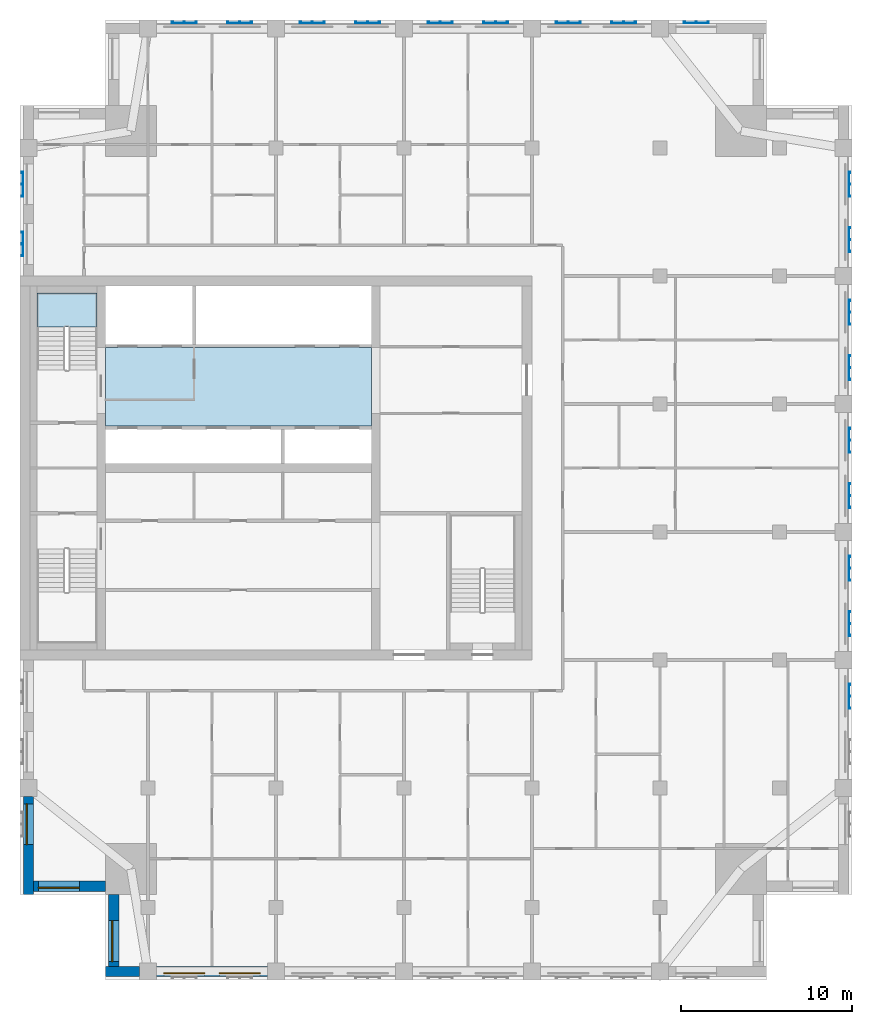
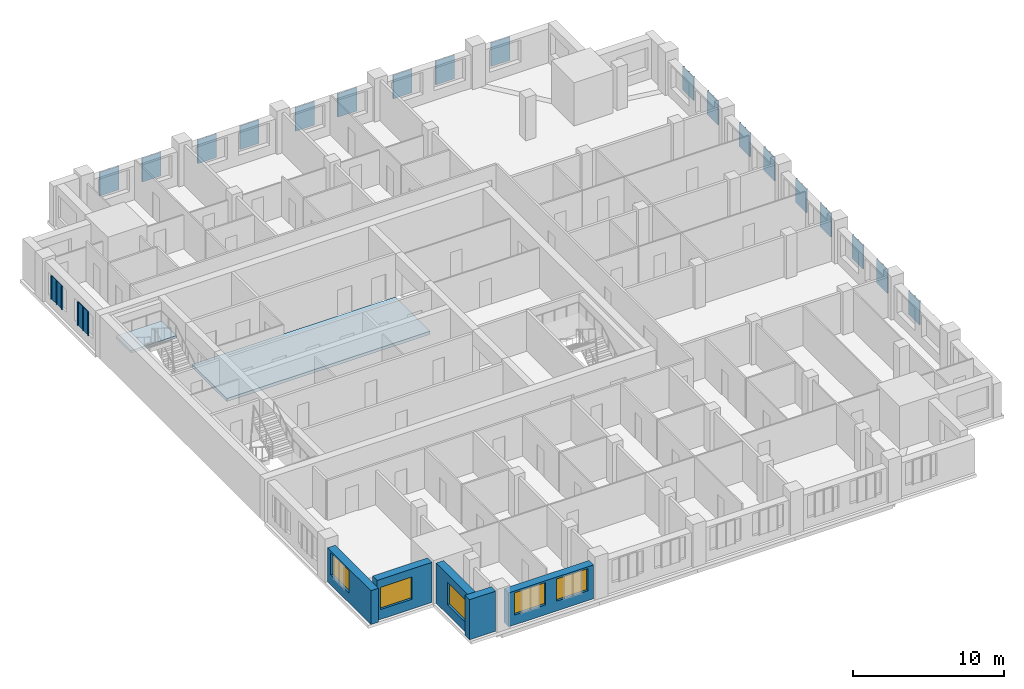
# One storey, part 2 of 11: 20 plates, 5 walls, 5 windows, 2 slabs, 5 openings, 1 element without a shape of its own.
"""IFC4 building model written with IfcOpenShell, lengths in metres."""

from ifc_helpers import new_model, si_unit, direction, frame, frame_2d, origin, place, context, subcontext, project, spatial, polyline, rectangle, outline, extrude, material, layer, layer_set, type_object, element, fill, aggregate, save


model = new_model("IFC4")

# Units and contexts
model_context = context("Model", 3, precision=1e-05, world=origin(), true_north=direction((0.0, 1.0)))
body_context = subcontext(model_context, "Body", "Model", "MODEL_VIEW")
ifc_project = project(units=[si_unit("LENGTHUNIT", "METRE"), si_unit("AREAUNIT", "SQUARE_METRE"), si_unit("VOLUMEUNIT", "CUBIC_METRE"), si_unit("PLANEANGLEUNIT", "RADIAN"), si_unit("MASSUNIT", "GRAM", prefix="KILO")], contexts=[model_context])

# Site, building, storey
site_placement = place(None, origin())
site = spatial("IfcSite", under=ifc_project, at=site_placement, CompositionType="ELEMENT")
building_placement = place(site_placement, origin())
building = spatial("IfcBuilding", under=site, at=building_placement, Name="Tamorin Gate", CompositionType="ELEMENT")
storey_placement = place(building_placement, frame((0.0, 0.0, 240.699951171875)))
storey = spatial("IfcBuildingStorey", under=building, at=storey_placement, Name="L60", CompositionType="ELEMENT", Elevation=240.699951171875)

# Slab
ifc_material_1 = material(Name="Concrete C40/50", Category="concrete")
ifc_layer_1 = layer(ifc_material_1, 0.25)
ifc_layer_set_1 = layer_set([ifc_layer_1], Name="Core floor slab 250 C40/50")
slab_type_1 = type_object("IfcSlabType", Name="Core floor slab 250 C40/50", PredefinedType="FLOOR", material=ifc_layer_set_1)
slab_1_placement = place(storey_placement, frame((0.0, 0.0, -0.25)))
element("IfcSlab", 1, at=slab_1_placement, inside=storey, type_object=slab_type_1, Name="Core floor L60", PredefinedType="FLOOR", context=body_context, shape_type="SweptSolid", body=[
    extrude(outline(polyline([(50.60009765625, 73.699951171875), (35.0, 73.699951171875), (35.0, 78.300048828125), (50.60009765625, 78.300048828125), (50.60009765625, 73.699951171875)])), origin(), (0.0, 0.0, 1.0), 0.25),
])

# Stair, slab
stair_type = type_object("IfcStairType", Name="Exit stair", PredefinedType="HALF_TURN_STAIR", material=ifc_material_1)
stair_placement = place(storey_placement, origin())
stair = element("IfcStair", 2, at=stair_placement, inside=storey, type_object=stair_type, Name="L60 stair ST2", PredefinedType="HALF_TURN_STAIR")
ifc_layer_2 = layer(ifc_material_1, 0.199951171875)
ifc_layer_set_2 = layer_set([ifc_layer_2], Name="Exit stair landing 200")
slab_type_2 = type_object("IfcSlabType", Name="Exit stair landing 200", PredefinedType="LANDING", material=ifc_layer_set_2)
slab_2_placement = place(storey_placement, frame((0.0, 0.0, 1.550048828125)))
slab_2 = element("IfcSlab", 3, at=slab_2_placement, type_object=slab_type_2, Name="ST2 landing 1", PredefinedType="LANDING", context=body_context, shape_type="SweptSolid", body=[
    extrude(outline(polyline([(34.5, 79.52001953125), (34.5, 81.5), (31.0, 81.5), (31.0, 79.52001953125), (34.5, 79.52001953125)])), origin(), (0.0, 0.0, 1.0), 0.199951171875),
])
aggregate(stair, [slab_2])

# Plates
ifc_material_2 = material(Name="Perforated pale aluminium sheet", Category="aluminium")
ifc_layer_3 = layer(ifc_material_2, 0.0400390625)
ifc_layer_set_3 = layer_set([ifc_layer_3], Name="Pale metal solar screen 1440")
plate_type = type_object("IfcPlateType", Name="Pale metal solar screen 1440", PredefinedType="SHEET", material=ifc_layer_set_3)
plate_1_placement = place(storey_placement, frame((0.0, 0.0, 0.737548828125)))
element("IfcPlate", 4, at=plate_1_placement, inside=storey, type_object=plate_type, Name="Perforated solar screen", PredefinedType="SHEET", context=body_context, shape_type="SweptSolid", body=[
    extrude(outline(polyline([(78.590087890625, 57.155029296875), (78.550048828125, 57.155029296875), (78.550048828125, 57.215087890625), (78.550048828125, 57.844970703125), (78.550048828125, 57.905029296875), (78.550048828125, 58.534912109375), (78.550048828125, 58.594970703125), (78.590087890625, 58.594970703125), (78.64990234375, 58.594970703125), (78.64990234375, 58.534912109375), (78.590087890625, 58.534912109375), (78.590087890625, 57.905029296875), (78.64990234375, 57.905029296875), (78.64990234375, 57.844970703125), (78.590087890625, 57.844970703125), (78.590087890625, 57.215087890625), (78.64990234375, 57.215087890625), (78.64990234375, 57.155029296875), (78.590087890625, 57.155029296875)])), origin(), (0.0, 0.0, 1.0), 1.925048828125),
])
plate_2_placement = place(storey_placement, frame((0.0, 0.0, 0.737548828125)))
element("IfcPlate", 5, at=plate_2_placement, inside=storey, type_object=plate_type, Name="Perforated solar screen", PredefinedType="SHEET", context=body_context, shape_type="SweptSolid", body=[
    extrude(outline(polyline([(78.590087890625, 61.405029296875), (78.550048828125, 61.405029296875), (78.550048828125, 61.465087890625), (78.550048828125, 62.094970703125), (78.550048828125, 62.155029296875), (78.550048828125, 62.784912109375), (78.550048828125, 62.844970703125), (78.590087890625, 62.844970703125), (78.64990234375, 62.844970703125), (78.64990234375, 62.784912109375), (78.590087890625, 62.784912109375), (78.590087890625, 62.155029296875), (78.64990234375, 62.155029296875), (78.64990234375, 62.094970703125), (78.590087890625, 62.094970703125), (78.590087890625, 61.465087890625), (78.64990234375, 61.465087890625), (78.64990234375, 61.405029296875), (78.590087890625, 61.405029296875)])), origin(), (0.0, 0.0, 1.0), 1.925048828125),
])
plate_3_placement = place(storey_placement, frame((0.0, 0.0, 0.737548828125)))
element("IfcPlate", 6, at=plate_3_placement, inside=storey, type_object=plate_type, Name="Perforated solar screen", PredefinedType="SHEET", context=body_context, shape_type="SweptSolid", body=[
    extrude(outline(polyline([(78.590087890625, 64.655029296875), (78.550048828125, 64.655029296875), (78.550048828125, 64.715087890625), (78.550048828125, 65.344970703125), (78.550048828125, 65.405029296875), (78.550048828125, 66.034912109375), (78.550048828125, 66.094970703125), (78.590087890625, 66.094970703125), (78.64990234375, 66.094970703125), (78.64990234375, 66.034912109375), (78.590087890625, 66.034912109375), (78.590087890625, 65.405029296875), (78.64990234375, 65.405029296875), (78.64990234375, 65.344970703125), (78.590087890625, 65.344970703125), (78.590087890625, 64.715087890625), (78.64990234375, 64.715087890625), (78.64990234375, 64.655029296875), (78.590087890625, 64.655029296875)])), origin(), (0.0, 0.0, 1.0), 1.925048828125),
])
plate_4_placement = place(storey_placement, frame((0.0, 0.0, 0.737548828125)))
element("IfcPlate", 7, at=plate_4_placement, inside=storey, type_object=plate_type, Name="Perforated solar screen", PredefinedType="SHEET", context=body_context, shape_type="SweptSolid", body=[
    extrude(outline(polyline([(78.590087890625, 68.905029296875), (78.550048828125, 68.905029296875), (78.550048828125, 68.965087890625), (78.550048828125, 69.594970703125), (78.550048828125, 69.655029296875), (78.550048828125, 70.284912109375), (78.550048828125, 70.344970703125), (78.590087890625, 70.344970703125), (78.64990234375, 70.344970703125), (78.64990234375, 70.284912109375), (78.590087890625, 70.284912109375), (78.590087890625, 69.655029296875), (78.64990234375, 69.655029296875), (78.64990234375, 69.594970703125), (78.590087890625, 69.594970703125), (78.590087890625, 68.965087890625), (78.64990234375, 68.965087890625), (78.64990234375, 68.905029296875), (78.590087890625, 68.905029296875)])), origin(), (0.0, 0.0, 1.0), 1.925048828125),
])
plate_5_placement = place(storey_placement, frame((0.0, 0.0, 0.737548828125)))
element("IfcPlate", 8, at=plate_5_placement, inside=storey, type_object=plate_type, Name="Perforated solar screen", PredefinedType="SHEET", context=body_context, shape_type="SweptSolid", body=[
    extrude(outline(polyline([(78.590087890625, 72.155029296875), (78.550048828125, 72.155029296875), (78.550048828125, 72.215087890625), (78.550048828125, 72.844970703125), (78.550048828125, 72.905029296875), (78.550048828125, 73.534912109375), (78.550048828125, 73.594970703125), (78.590087890625, 73.594970703125), (78.64990234375, 73.594970703125), (78.64990234375, 73.534912109375), (78.590087890625, 73.534912109375), (78.590087890625, 72.905029296875), (78.64990234375, 72.905029296875), (78.64990234375, 72.844970703125), (78.590087890625, 72.844970703125), (78.590087890625, 72.215087890625), (78.64990234375, 72.215087890625), (78.64990234375, 72.155029296875), (78.590087890625, 72.155029296875)])), origin(), (0.0, 0.0, 1.0), 1.925048828125),
])
plate_6_placement = place(storey_placement, frame((0.0, 0.0, 0.737548828125)))
element("IfcPlate", 9, at=plate_6_placement, inside=storey, type_object=plate_type, Name="Perforated solar screen", PredefinedType="SHEET", context=body_context, shape_type="SweptSolid", body=[
    extrude(outline(polyline([(78.590087890625, 76.405029296875), (78.550048828125, 76.405029296875), (78.550048828125, 76.465087890625), (78.550048828125, 77.094970703125), (78.550048828125, 77.155029296875), (78.550048828125, 77.784912109375), (78.550048828125, 77.844970703125), (78.590087890625, 77.844970703125), (78.64990234375, 77.844970703125), (78.64990234375, 77.784912109375), (78.590087890625, 77.784912109375), (78.590087890625, 77.155029296875), (78.64990234375, 77.155029296875), (78.64990234375, 77.094970703125), (78.590087890625, 77.094970703125), (78.590087890625, 76.465087890625), (78.64990234375, 76.465087890625), (78.64990234375, 76.405029296875), (78.590087890625, 76.405029296875)])), origin(), (0.0, 0.0, 1.0), 1.925048828125),
])
plate_7_placement = place(storey_placement, frame((0.0, 0.0, 0.737548828125)))
element("IfcPlate", 10, at=plate_7_placement, inside=storey, type_object=plate_type, Name="Perforated solar screen", PredefinedType="SHEET", context=body_context, shape_type="SweptSolid", body=[
    extrude(outline(polyline([(78.590087890625, 79.655029296875), (78.550048828125, 79.655029296875), (78.550048828125, 79.715087890625), (78.550048828125, 80.344970703125), (78.550048828125, 80.405029296875), (78.550048828125, 81.034912109375), (78.550048828125, 81.094970703125), (78.590087890625, 81.094970703125), (78.64990234375, 81.094970703125), (78.64990234375, 81.034912109375), (78.590087890625, 81.034912109375), (78.590087890625, 80.405029296875), (78.64990234375, 80.405029296875), (78.64990234375, 80.344970703125), (78.590087890625, 80.344970703125), (78.590087890625, 79.715087890625), (78.64990234375, 79.715087890625), (78.64990234375, 79.655029296875), (78.590087890625, 79.655029296875)])), origin(), (0.0, 0.0, 1.0), 1.925048828125),
])
plate_8_placement = place(storey_placement, frame((0.0, 0.0, 0.737548828125)))
element("IfcPlate", 11, at=plate_8_placement, inside=storey, type_object=plate_type, Name="Perforated solar screen", PredefinedType="SHEET", context=body_context, shape_type="SweptSolid", body=[
    extrude(outline(polyline([(78.590087890625, 83.905029296875), (78.550048828125, 83.905029296875), (78.550048828125, 83.965087890625), (78.550048828125, 84.594970703125), (78.550048828125, 84.655029296875), (78.550048828125, 85.284912109375), (78.550048828125, 85.344970703125), (78.590087890625, 85.344970703125), (78.64990234375, 85.344970703125), (78.64990234375, 85.284912109375), (78.590087890625, 85.284912109375), (78.590087890625, 84.655029296875), (78.64990234375, 84.655029296875), (78.64990234375, 84.594970703125), (78.590087890625, 84.594970703125), (78.590087890625, 83.965087890625), (78.64990234375, 83.965087890625), (78.64990234375, 83.905029296875), (78.590087890625, 83.905029296875)])), origin(), (0.0, 0.0, 1.0), 1.925048828125),
])
plate_9_placement = place(storey_placement, frame((0.0, 0.0, 0.737548828125)))
element("IfcPlate", 12, at=plate_9_placement, inside=storey, type_object=plate_type, Name="Perforated solar screen", PredefinedType="SHEET", context=body_context, shape_type="SweptSolid", body=[
    extrude(outline(polyline([(78.590087890625, 87.155029296875), (78.550048828125, 87.155029296875), (78.550048828125, 87.215087890625), (78.550048828125, 87.844970703125), (78.550048828125, 87.905029296875), (78.550048828125, 88.534912109375), (78.550048828125, 88.594970703125), (78.590087890625, 88.594970703125), (78.64990234375, 88.594970703125), (78.64990234375, 88.534912109375), (78.590087890625, 88.534912109375), (78.590087890625, 87.905029296875), (78.64990234375, 87.905029296875), (78.64990234375, 87.844970703125), (78.590087890625, 87.844970703125), (78.590087890625, 87.215087890625), (78.64990234375, 87.215087890625), (78.64990234375, 87.155029296875), (78.590087890625, 87.155029296875)])), origin(), (0.0, 0.0, 1.0), 1.925048828125),
])
plate_10_placement = place(storey_placement, frame((0.0, 0.0, 0.737548828125)))
element("IfcPlate", 13, at=plate_10_placement, inside=storey, type_object=plate_type, Name="Perforated solar screen", PredefinedType="SHEET", context=body_context, shape_type="SweptSolid", body=[
    extrude(outline(polyline([(70.344970703125, 97.340087890625), (70.344970703125, 97.300048828125), (70.284912109375, 97.300048828125), (69.655029296875, 97.300048828125), (69.594970703125, 97.300048828125), (68.965087890625, 97.300048828125), (68.905029296875, 97.300048828125), (68.905029296875, 97.300048828125), (68.905029296875, 97.340087890625), (68.905029296875, 97.340087890625), (68.905029296875, 97.39990234375), (68.965087890625, 97.39990234375), (68.965087890625, 97.340087890625), (69.594970703125, 97.340087890625), (69.594970703125, 97.39990234375), (69.655029296875, 97.39990234375), (69.655029296875, 97.340087890625), (70.284912109375, 97.340087890625), (70.284912109375, 97.39990234375), (70.344970703125, 97.39990234375), (70.344970703125, 97.340087890625)])), origin(), (0.0, 0.0, 1.0), 1.925048828125),
])
plate_11_placement = place(storey_placement, frame((0.0, 0.0, 0.737548828125)))
element("IfcPlate", 14, at=plate_11_placement, inside=storey, type_object=plate_type, Name="Perforated solar screen", PredefinedType="SHEET", context=body_context, shape_type="SweptSolid", body=[
    extrude(outline(polyline([(62.844970703125, 97.340087890625), (62.844970703125, 97.300048828125), (62.784912109375, 97.300048828125), (62.155029296875, 97.300048828125), (62.094970703125, 97.300048828125), (61.465087890625, 97.300048828125), (61.405029296875, 97.300048828125), (61.405029296875, 97.340087890625), (61.405029296875, 97.39990234375), (61.465087890625, 97.39990234375), (61.465087890625, 97.340087890625), (62.094970703125, 97.340087890625), (62.094970703125, 97.39990234375), (62.155029296875, 97.39990234375), (62.155029296875, 97.340087890625), (62.784912109375, 97.340087890625), (62.784912109375, 97.39990234375), (62.844970703125, 97.39990234375), (62.844970703125, 97.340087890625)])), origin(), (0.0, 0.0, 1.0), 1.925048828125),
])
plate_12_placement = place(storey_placement, frame((0.0, 0.0, 0.737548828125)))
element("IfcPlate", 15, at=plate_12_placement, inside=storey, type_object=plate_type, Name="Perforated solar screen", PredefinedType="SHEET", context=body_context, shape_type="SweptSolid", body=[
    extrude(outline(polyline([(66.094970703125, 97.340087890625), (66.094970703125, 97.300048828125), (66.034912109375, 97.300048828125), (65.405029296875, 97.300048828125), (65.344970703125, 97.300048828125), (64.715087890625, 97.300048828125), (64.655029296875, 97.300048828125), (64.655029296875, 97.340087890625), (64.655029296875, 97.39990234375), (64.715087890625, 97.39990234375), (64.715087890625, 97.340087890625), (65.344970703125, 97.340087890625), (65.344970703125, 97.39990234375), (65.405029296875, 97.39990234375), (65.405029296875, 97.340087890625), (66.034912109375, 97.340087890625), (66.034912109375, 97.39990234375), (66.094970703125, 97.39990234375), (66.094970703125, 97.340087890625)])), origin(), (0.0, 0.0, 1.0), 1.925048828125),
])
plate_13_placement = place(storey_placement, frame((0.0, 0.0, 0.737548828125)))
element("IfcPlate", 16, at=plate_13_placement, inside=storey, type_object=plate_type, Name="Perforated solar screen", PredefinedType="SHEET", context=body_context, shape_type="SweptSolid", body=[
    extrude(outline(polyline([(55.344970703125, 97.340087890625), (55.344970703125, 97.300048828125), (55.284912109375, 97.300048828125), (54.655029296875, 97.300048828125), (54.594970703125, 97.300048828125), (53.965087890625, 97.300048828125), (53.905029296875, 97.300048828125), (53.905029296875, 97.340087890625), (53.905029296875, 97.39990234375), (53.965087890625, 97.39990234375), (53.965087890625, 97.340087890625), (54.594970703125, 97.340087890625), (54.594970703125, 97.39990234375), (54.655029296875, 97.39990234375), (54.655029296875, 97.340087890625), (55.284912109375, 97.340087890625), (55.284912109375, 97.39990234375), (55.344970703125, 97.39990234375), (55.344970703125, 97.340087890625)])), origin(), (0.0, 0.0, 1.0), 1.925048828125),
])
plate_14_placement = place(storey_placement, frame((0.0, 0.0, 0.737548828125)))
element("IfcPlate", 17, at=plate_14_placement, inside=storey, type_object=plate_type, Name="Perforated solar screen", PredefinedType="SHEET", context=body_context, shape_type="SweptSolid", body=[
    extrude(outline(polyline([(58.594970703125, 97.340087890625), (58.594970703125, 97.300048828125), (58.534912109375, 97.300048828125), (57.905029296875, 97.300048828125), (57.844970703125, 97.300048828125), (57.215087890625, 97.300048828125), (57.155029296875, 97.300048828125), (57.155029296875, 97.340087890625), (57.155029296875, 97.39990234375), (57.215087890625, 97.39990234375), (57.215087890625, 97.340087890625), (57.844970703125, 97.340087890625), (57.844970703125, 97.39990234375), (57.905029296875, 97.39990234375), (57.905029296875, 97.340087890625), (58.534912109375, 97.340087890625), (58.534912109375, 97.39990234375), (58.594970703125, 97.39990234375), (58.594970703125, 97.340087890625)])), origin(), (0.0, 0.0, 1.0), 1.925048828125),
])
plate_15_placement = place(storey_placement, frame((0.0, 0.0, 0.737548828125)))
element("IfcPlate", 18, at=plate_15_placement, inside=storey, type_object=plate_type, Name="Perforated solar screen", PredefinedType="SHEET", context=body_context, shape_type="SweptSolid", body=[
    extrude(outline(polyline([(47.844970703125, 97.340087890625), (47.844970703125, 97.300048828125), (47.784912109375, 97.300048828125), (47.155029296875, 97.300048828125), (47.094970703125, 97.300048828125), (46.465087890625, 97.300048828125), (46.405029296875, 97.300048828125), (46.405029296875, 97.340087890625), (46.405029296875, 97.39990234375), (46.465087890625, 97.39990234375), (46.465087890625, 97.340087890625), (47.094970703125, 97.340087890625), (47.094970703125, 97.39990234375), (47.155029296875, 97.39990234375), (47.155029296875, 97.340087890625), (47.784912109375, 97.340087890625), (47.784912109375, 97.39990234375), (47.844970703125, 97.39990234375), (47.844970703125, 97.340087890625)])), origin(), (0.0, 0.0, 1.0), 1.925048828125),
])
plate_16_placement = place(storey_placement, frame((0.0, 0.0, 0.737548828125)))
element("IfcPlate", 19, at=plate_16_placement, inside=storey, type_object=plate_type, Name="Perforated solar screen", PredefinedType="SHEET", context=body_context, shape_type="SweptSolid", body=[
    extrude(outline(polyline([(51.094970703125, 97.340087890625), (51.094970703125, 97.300048828125), (51.034912109375, 97.300048828125), (50.405029296875, 97.300048828125), (50.344970703125, 97.300048828125), (49.715087890625, 97.300048828125), (49.655029296875, 97.300048828125), (49.655029296875, 97.340087890625), (49.655029296875, 97.39990234375), (49.715087890625, 97.39990234375), (49.715087890625, 97.340087890625), (50.344970703125, 97.340087890625), (50.344970703125, 97.39990234375), (50.405029296875, 97.39990234375), (50.405029296875, 97.340087890625), (51.034912109375, 97.340087890625), (51.034912109375, 97.39990234375), (51.094970703125, 97.39990234375), (51.094970703125, 97.340087890625)])), origin(), (0.0, 0.0, 1.0), 1.925048828125),
])
plate_17_placement = place(storey_placement, frame((0.0, 0.0, 0.737548828125)))
element("IfcPlate", 20, at=plate_17_placement, inside=storey, type_object=plate_type, Name="Perforated solar screen", PredefinedType="SHEET", context=body_context, shape_type="SweptSolid", body=[
    extrude(outline(polyline([(40.344970703125, 97.340087890625), (40.344970703125, 97.300048828125), (40.284912109375, 97.300048828125), (39.655029296875, 97.300048828125), (39.594970703125, 97.300048828125), (38.965087890625, 97.300048828125), (38.905029296875, 97.300048828125), (38.905029296875, 97.340087890625), (38.905029296875, 97.39990234375), (38.965087890625, 97.39990234375), (38.965087890625, 97.340087890625), (39.594970703125, 97.340087890625), (39.594970703125, 97.39990234375), (39.655029296875, 97.39990234375), (39.655029296875, 97.340087890625), (40.284912109375, 97.340087890625), (40.284912109375, 97.39990234375), (40.344970703125, 97.39990234375), (40.344970703125, 97.340087890625)])), origin(), (0.0, 0.0, 1.0), 1.925048828125),
])
plate_18_placement = place(storey_placement, frame((0.0, 0.0, 0.737548828125)))
element("IfcPlate", 21, at=plate_18_placement, inside=storey, type_object=plate_type, Name="Perforated solar screen", PredefinedType="SHEET", context=body_context, shape_type="SweptSolid", body=[
    extrude(outline(polyline([(43.594970703125, 97.340087890625), (43.594970703125, 97.300048828125), (43.534912109375, 97.300048828125), (42.905029296875, 97.300048828125), (42.844970703125, 97.300048828125), (42.215087890625, 97.300048828125), (42.155029296875, 97.300048828125), (42.155029296875, 97.340087890625), (42.155029296875, 97.39990234375), (42.215087890625, 97.39990234375), (42.215087890625, 97.340087890625), (42.844970703125, 97.340087890625), (42.844970703125, 97.39990234375), (42.905029296875, 97.39990234375), (42.905029296875, 97.340087890625), (43.534912109375, 97.340087890625), (43.534912109375, 97.39990234375), (43.594970703125, 97.39990234375), (43.594970703125, 97.340087890625)])), origin(), (0.0, 0.0, 1.0), 1.925048828125),
])
plate_19_placement = place(storey_placement, frame((0.0, 0.0, 0.737548828125)))
element("IfcPlate", 22, at=plate_19_placement, inside=storey, type_object=plate_type, Name="Perforated solar screen", PredefinedType="SHEET", context=body_context, shape_type="SweptSolid", body=[
    extrude(outline(polyline([(30.159912109375, 85.094970703125), (30.199951171875, 85.094970703125), (30.199951171875, 85.034912109375), (30.199951171875, 84.405029296875), (30.199951171875, 84.344970703125), (30.199951171875, 83.715087890625), (30.199951171875, 83.655029296875), (30.159912109375, 83.655029296875), (30.10009765625, 83.655029296875), (30.10009765625, 83.715087890625), (30.159912109375, 83.715087890625), (30.159912109375, 84.344970703125), (30.10009765625, 84.344970703125), (30.10009765625, 84.405029296875), (30.159912109375, 84.405029296875), (30.159912109375, 85.034912109375), (30.10009765625, 85.034912109375), (30.10009765625, 85.094970703125), (30.159912109375, 85.094970703125)])), origin(), (0.0, 0.0, 1.0), 1.925048828125),
])
plate_20_placement = place(storey_placement, frame((0.0, 0.0, 0.737548828125)))
element("IfcPlate", 23, at=plate_20_placement, inside=storey, type_object=plate_type, Name="Perforated solar screen", PredefinedType="SHEET", context=body_context, shape_type="SweptSolid", body=[
    extrude(outline(polyline([(30.159912109375, 88.594970703125), (30.199951171875, 88.594970703125), (30.199951171875, 88.534912109375), (30.199951171875, 87.905029296875), (30.199951171875, 87.844970703125), (30.199951171875, 87.215087890625), (30.199951171875, 87.155029296875), (30.199951171875, 87.155029296875), (30.159912109375, 87.155029296875), (30.159912109375, 87.155029296875), (30.10009765625, 87.155029296875), (30.10009765625, 87.215087890625), (30.159912109375, 87.215087890625), (30.159912109375, 87.844970703125), (30.10009765625, 87.844970703125), (30.10009765625, 87.905029296875), (30.159912109375, 87.905029296875), (30.159912109375, 88.534912109375), (30.10009765625, 88.534912109375), (30.10009765625, 88.594970703125), (30.159912109375, 88.594970703125)])), origin(), (0.0, 0.0, 1.0), 1.925048828125),
])

# Wall
ifc_material_3 = material(Name="Precast concrete C40/50", Category="concrete")
ifc_layer_4 = layer(ifc_material_3, 0.60009765625)
ifc_layer_set_4 = layer_set([ifc_layer_4], Name="Precast concrete C40/50")
wall_type = type_object("IfcWallType", Name="Board-marked concrete facade panel 600", PredefinedType="SOLIDWALL", material=ifc_layer_set_4)
wall_1_placement = place(storey_placement, frame((35.0, 41.75, 0.0), z_axis=(0.0, 0.0, 1.0), x_axis=(1.0, 0.0, 0.0)))
element("IfcWall", 24, at=wall_1_placement, inside=storey, type_object=wall_type, Name="Facade panel", PredefinedType="SOLIDWALL", context=body_context, shape_type="SweptSolid", body=[
    extrude(rectangle(XDim=2.0, YDim=0.60009765625, at=frame_2d((1.0, 0.0))), origin(), (0.0, 0.0, 1.0), 3.25),
])

# Wall, openings, windows
wall_2_placement = place(storey_placement, frame((38.0, 41.75, 0.0), z_axis=(0.0, 0.0, 1.0), x_axis=(1.0, 0.0, 0.0)))
wall_2 = element("IfcWall", 25, at=wall_2_placement, inside=storey, type_object=wall_type, Name="Facade panel", PredefinedType="SOLIDWALL", context=body_context, shape_type="SweptSolid", body=[
    extrude(rectangle(XDim=6.5, YDim=0.60009765625, at=frame_2d((3.25, 0.0))), origin(), (0.0, 0.0, 1.0), 2.75),
])
opening_1_placement = place(wall_2_placement, frame((0.425048828125, 0.0, 0.800048828125)))
opening_1 = element("IfcOpeningElement", 26, at=opening_1_placement, cuts=wall_2, Name="Opening WN1", PredefinedType="OPENING", context=body_context, shape_type="SweptSolid", body=[
    extrude(rectangle(XDim=2.39990234375, YDim=1.800048828125, at=frame_2d((1.199951171875, 0.89990234375))), frame((0.0, 0.31005859375, 0.0), z_axis=(0.0, -1.0, 0.0), x_axis=(1.0, 0.0, 0.0)), (0.0, 0.0, 1.0), 0.6201171875),
])
opening_2_placement = place(wall_2_placement, frame((3.675048828125, 0.0, 0.800048828125)))
opening_2 = element("IfcOpeningElement", 27, at=opening_2_placement, cuts=wall_2, Name="Opening WN1", PredefinedType="OPENING", context=body_context, shape_type="SweptSolid", body=[
    extrude(rectangle(XDim=2.39990234375, YDim=1.800048828125, at=frame_2d((1.199951171875, 0.89990234375))), frame((0.0, 0.31005859375, 0.0), z_axis=(0.0, -1.0, 0.0), x_axis=(1.0, 0.0, 0.0)), (0.0, 0.0, 1.0), 0.6201171875),
])
ifc_material_4 = material(Name="Clear glass in aluminium frame", Category="aluminium")
window_type = type_object("IfcWindowType", Name="Deep-set window 2400x1800", PartitioningType="SINGLE_PANEL", PredefinedType="WINDOW", material=ifc_material_4)
window_1_placement = place(opening_1_placement, origin())
window_1 = element("IfcWindow", 28, at=window_1_placement, inside=storey, type_object=window_type, Name="Deep-set window", OverallHeight=1.800048828125, OverallWidth=2.39990234375, PartitioningType="SINGLE_PANEL", PredefinedType="WINDOW", context=body_context, shape_type="SweptSolid", body=[
    extrude(rectangle(XDim=2.39990234375, YDim=1.800048828125, at=frame_2d((1.199951171875, 0.89990234375))), frame((0.0, -0.070068359375, 0.0), z_axis=(0.0, -1.0, 0.0), x_axis=(1.0, 0.0, 0.0)), (0.0, 0.0, 1.0), 0.06005859375),
])
fill(opening_1, window_1)
window_2_placement = place(opening_2_placement, origin())
window_2 = element("IfcWindow", 29, at=window_2_placement, inside=storey, type_object=window_type, Name="Deep-set window", OverallHeight=1.800048828125, OverallWidth=2.39990234375, PartitioningType="SINGLE_PANEL", PredefinedType="WINDOW", context=body_context, shape_type="SweptSolid", body=[
    extrude(rectangle(XDim=2.39990234375, YDim=1.800048828125, at=frame_2d((1.199951171875, 0.89990234375))), frame((0.0, -0.070068359375, 0.0), z_axis=(0.0, -1.0, 0.0), x_axis=(1.0, 0.0, 0.0)), (0.0, 0.0, 1.0), 0.06005859375),
])
fill(opening_2, window_2)

# Wall, opening, window
wall_3_placement = place(storey_placement, frame((30.5, 52.0, 0.0), z_axis=(0.0, 0.0, 1.0), x_axis=(0.0, -1.0, 0.0)))
wall_3 = element("IfcWall", 30, at=wall_3_placement, inside=storey, type_object=wall_type, Name="Facade panel", PredefinedType="SOLIDWALL", context=body_context, shape_type="SweptSolid", body=[
    extrude(rectangle(XDim=5.75, YDim=0.60009765625, at=frame_2d((2.875, 0.0))), origin(), (0.0, 0.0, 1.0), 2.75),
])
opening_3_placement = place(wall_3_placement, frame((0.425048828125, 0.0, 0.800048828125)))
opening_3 = element("IfcOpeningElement", 31, at=opening_3_placement, cuts=wall_3, Name="Opening WN1", PredefinedType="OPENING", context=body_context, shape_type="SweptSolid", body=[
    extrude(rectangle(XDim=2.39990234375, YDim=1.800048828125, at=frame_2d((1.199951171875, 0.89990234375))), frame((0.0, 0.31005859375, 0.0), z_axis=(0.0, -1.0, 0.0), x_axis=(1.0, 0.0, 0.0)), (0.0, 0.0, 1.0), 0.6201171875),
])
window_3_placement = place(opening_3_placement, origin())
window_3 = element("IfcWindow", 32, at=window_3_placement, inside=storey, type_object=window_type, Name="Deep-set window", OverallHeight=1.800048828125, OverallWidth=2.39990234375, PartitioningType="SINGLE_PANEL", PredefinedType="WINDOW", context=body_context, shape_type="SweptSolid", body=[
    extrude(rectangle(XDim=2.39990234375, YDim=1.800048828125, at=frame_2d((1.199951171875, 0.89990234375))), frame((0.0, -0.070068359375, 0.0), z_axis=(0.0, -1.0, 0.0), x_axis=(1.0, 0.0, 0.0)), (0.0, 0.0, 1.0), 0.06005859375),
])
fill(opening_3, window_3)

wall_4_placement = place(storey_placement, frame((30.800048828125, 46.75, 0.0), z_axis=(0.0, 0.0, 1.0), x_axis=(1.0, 0.0, 0.0)))
wall_4 = element("IfcWall", 33, at=wall_4_placement, inside=storey, type_object=wall_type, Name="Facade panel", PredefinedType="SOLIDWALL", context=body_context, shape_type="SweptSolid", body=[
    extrude(rectangle(XDim=4.199951171875, YDim=0.60009765625, at=frame_2d((2.10009765625, 0.0))), origin(), (0.0, 0.0, 1.0), 3.25),
])
opening_4_placement = place(wall_4_placement, frame((0.27490234375, 0.0, 0.800048828125)))
opening_4 = element("IfcOpeningElement", 34, at=opening_4_placement, cuts=wall_4, Name="Opening WN1", PredefinedType="OPENING", context=body_context, shape_type="SweptSolid", body=[
    extrude(rectangle(XDim=2.39990234375, YDim=1.800048828125, at=frame_2d((1.199951171875, 0.89990234375))), frame((0.0, 0.31005859375, 0.0), z_axis=(0.0, -1.0, 0.0), x_axis=(1.0, 0.0, 0.0)), (0.0, 0.0, 1.0), 0.6201171875),
])
window_4_placement = place(opening_4_placement, origin())
window_4 = element("IfcWindow", 35, at=window_4_placement, inside=storey, type_object=window_type, Name="Deep-set window", OverallHeight=1.800048828125, OverallWidth=2.39990234375, PartitioningType="SINGLE_PANEL", PredefinedType="WINDOW", context=body_context, shape_type="SweptSolid", body=[
    extrude(rectangle(XDim=2.39990234375, YDim=1.800048828125, at=frame_2d((1.199951171875, 0.89990234375))), frame((0.0, -0.070068359375, 0.0), z_axis=(0.0, -1.0, 0.0), x_axis=(1.0, 0.0, 0.0)), (0.0, 0.0, 1.0), 0.06005859375),
])
fill(opening_4, window_4)

wall_5_placement = place(storey_placement, frame((35.5, 46.25, 0.0), z_axis=(0.0, 0.0, 1.0), x_axis=(0.0, -1.0, 0.0)))
wall_5 = element("IfcWall", 36, at=wall_5_placement, inside=storey, type_object=wall_type, Name="Facade panel", PredefinedType="SOLIDWALL", context=body_context, shape_type="SweptSolid", body=[
    extrude(rectangle(XDim=4.199951171875, YDim=0.60009765625, at=frame_2d((2.10009765625, 0.0))), origin(), (0.0, 0.0, 1.0), 3.25),
])
opening_5_placement = place(wall_5_placement, frame((1.52490234375, 0.0, 0.800048828125)))
opening_5 = element("IfcOpeningElement", 37, at=opening_5_placement, cuts=wall_5, Name="Opening WN1", PredefinedType="OPENING", context=body_context, shape_type="SweptSolid", body=[
    extrude(rectangle(XDim=2.39990234375, YDim=1.800048828125, at=frame_2d((1.199951171875, 0.89990234375))), frame((0.0, 0.31005859375, 0.0), z_axis=(0.0, -1.0, 0.0), x_axis=(1.0, 0.0, 0.0)), (0.0, 0.0, 1.0), 0.6201171875),
])
window_5_placement = place(opening_5_placement, origin())
window_5 = element("IfcWindow", 38, at=window_5_placement, inside=storey, type_object=window_type, Name="Deep-set window", OverallHeight=1.800048828125, OverallWidth=2.39990234375, PartitioningType="SINGLE_PANEL", PredefinedType="WINDOW", context=body_context, shape_type="SweptSolid", body=[
    extrude(rectangle(XDim=2.39990234375, YDim=1.800048828125, at=frame_2d((1.199951171875, 0.89990234375))), frame((0.0, -0.070068359375, 0.0), z_axis=(0.0, -1.0, 0.0), x_axis=(1.0, 0.0, 0.0)), (0.0, 0.0, 1.0), 0.06005859375),
])
fill(opening_5, window_5)

save(model, "model.ifc")
